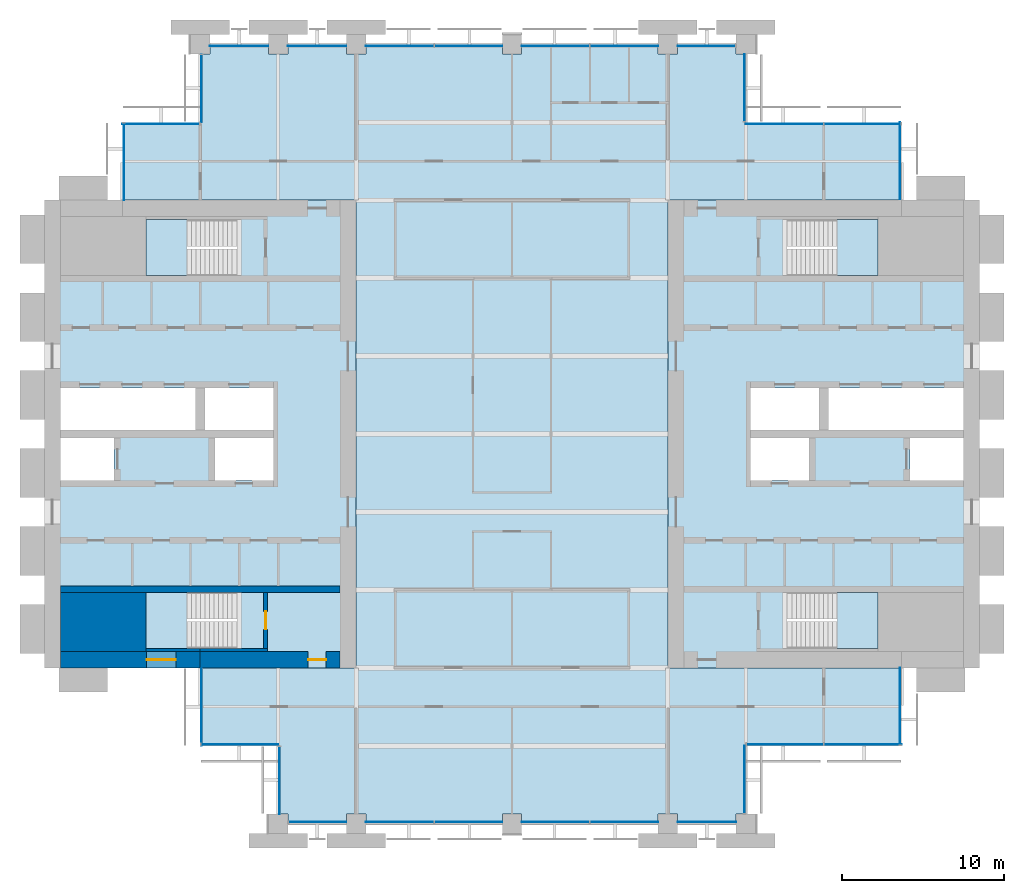
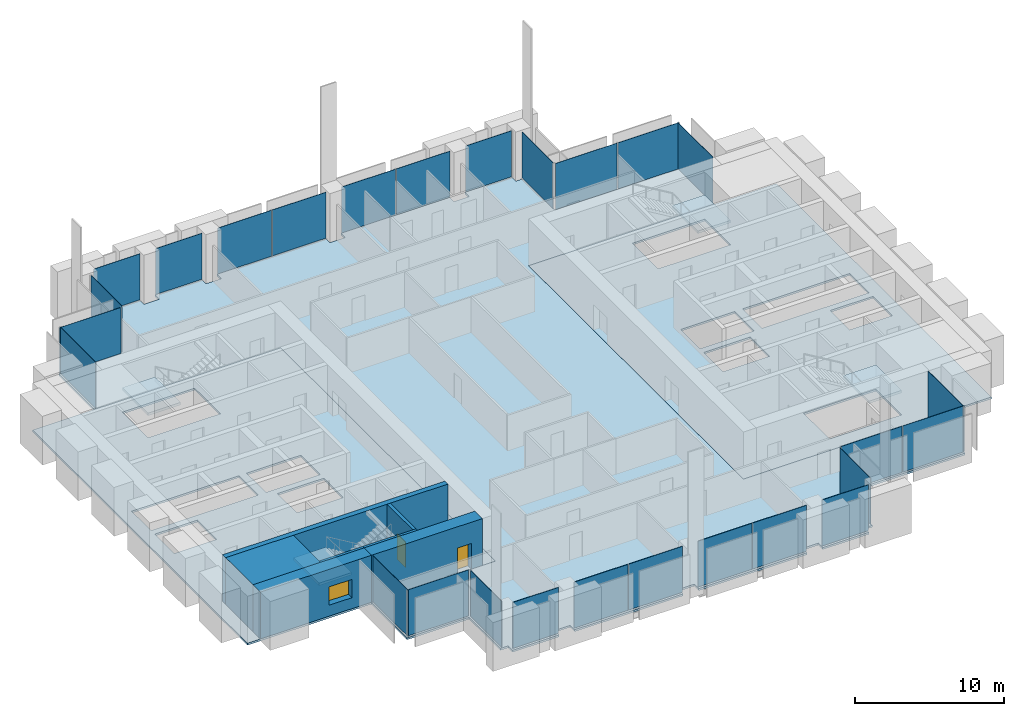
# One storey, part 8 of 14: 27 plates, 7 slabs, 7 walls, 2 doors, 1 window, 3 openings, 18 elements without a shape of their own.
"""IFC4 building model written with IfcOpenShell, lengths in metres."""

from ifc_helpers import new_model, si_unit, direction, frame, frame_2d, origin, origin_2d, place, context, subcontext, project, spatial, polyline, rectangle, outline, extrude, material, layer, layer_set, type_object, element, fill, aggregate, save


model = new_model("IFC4")

# Units and contexts
model_context = context("Model", 3, precision=1e-05, world=origin(), true_north=direction((0.0, 1.0)))
body_context = subcontext(model_context, "Body", "Model", "MODEL_VIEW")
ifc_project = project(units=[si_unit("LENGTHUNIT", "METRE"), si_unit("AREAUNIT", "SQUARE_METRE"), si_unit("VOLUMEUNIT", "CUBIC_METRE"), si_unit("PLANEANGLEUNIT", "RADIAN"), si_unit("MASSUNIT", "GRAM", prefix="KILO")], contexts=[model_context])

# Site, building, storey
site_placement = place(None, origin())
site = spatial("IfcSite", under=ifc_project, at=site_placement, CompositionType="ELEMENT")
building_placement = place(site_placement, origin())
building = spatial("IfcBuilding", under=site, at=building_placement, Name="Baori Bourse Tower", CompositionType="ELEMENT")
storey_placement = place(building_placement, frame((0.0, 0.0, 108.10009765625)))
storey = spatial("IfcBuildingStorey", under=building, at=storey_placement, Name="L22", CompositionType="ELEMENT", Elevation=108.10009765625)

# Curtain wall, plates
ifc_material_1 = material(Name="Pale anodised aluminium", Category="aluminium")
curtain_wall_type_1 = type_object("IfcCurtainWallType", Name="CW1 Curtain wall", PredefinedType="NOTDEFINED", material=ifc_material_1)
curtain_wall_1_placement = place(storey_placement, origin())
curtain_wall_1 = element("IfcCurtainWall", 1, at=curtain_wall_1_placement, inside=storey, type_object=curtain_wall_type_1, Name="Curtain wall CW1 L22 4", PredefinedType="NOTDEFINED")
ifc_material_2 = material(Name="Clear glass", Category="glass")
ifc_layer_1 = layer(ifc_material_2, 0.033935546875)
ifc_layer_set_1 = layer_set([ifc_layer_1], Name="CW1 Curtain wall panel")
plate_type_1 = type_object("IfcPlateType", Name="CW1 Curtain wall panel", PredefinedType="CURTAIN_PANEL", material=ifc_layer_set_1)
plate_1_placement = place(storey_placement, frame((40.77001953125, 47.89990234375, 0.080078125), z_axis=(0.0, 0.0, 1.0), x_axis=(-1.0, 0.0, 0.0)))
plate_1 = element("IfcPlate", 2, at=plate_1_placement, type_object=plate_type_1, Name="Curtain wall CW1 panel", PredefinedType="CURTAIN_PANEL", context=body_context, shape_type="SweptSolid", body=[
    extrude(rectangle(XDim=3.5400390625, YDim=0.033935546875, at=origin_2d()), origin(), (0.0, 0.0, 1.0), 3.760009765625),
])
plate_2_placement = place(storey_placement, frame((35.715087890625, 47.89990234375, 0.080078125), z_axis=(0.0, 0.0, 1.0), x_axis=(-1.0, 0.0, 0.0)))
plate_2 = element("IfcPlate", 3, at=plate_2_placement, type_object=plate_type_1, Name="Curtain wall CW1 panel", PredefinedType="CURTAIN_PANEL", context=body_context, shape_type="SweptSolid", body=[
    extrude(rectangle(XDim=4.169921875, YDim=0.033935546875, at=origin_2d()), origin(), (0.0, 0.0, 1.0), 3.760009765625),
])
plate_3_placement = place(storey_placement, frame((31.485107421875, 47.89990234375, 0.080078125), z_axis=(0.0, 0.0, 1.0), x_axis=(-1.0, 0.0, 0.0)))
plate_3 = element("IfcPlate", 4, at=plate_3_placement, type_object=plate_type_1, Name="Curtain wall CW1 panel", PredefinedType="CURTAIN_PANEL", context=body_context, shape_type="SweptSolid", body=[
    extrude(rectangle(XDim=4.169921875, YDim=0.033935546875, at=origin_2d()), origin(), (0.0, 0.0, 1.0), 3.760009765625),
])
plate_4_placement = place(storey_placement, frame((26.114990234375, 47.89990234375, 0.080078125), z_axis=(0.0, 0.0, 1.0), x_axis=(-1.0, 0.0, 0.0)))
plate_4 = element("IfcPlate", 5, at=plate_4_placement, type_object=plate_type_1, Name="Curtain wall CW1 panel", PredefinedType="CURTAIN_PANEL", context=body_context, shape_type="SweptSolid", body=[
    extrude(rectangle(XDim=4.169921875, YDim=0.033935546875, at=origin_2d()), origin(), (0.0, 0.0, 1.0), 3.760009765625),
])
plate_5_placement = place(storey_placement, frame((21.885009765625, 47.89990234375, 0.080078125), z_axis=(0.0, 0.0, 1.0), x_axis=(-1.0, 0.0, 0.0)))
plate_5 = element("IfcPlate", 6, at=plate_5_placement, type_object=plate_type_1, Name="Curtain wall CW1 panel", PredefinedType="CURTAIN_PANEL", context=body_context, shape_type="SweptSolid", body=[
    extrude(rectangle(XDim=4.169921875, YDim=0.033935546875, at=origin_2d()), origin(), (0.0, 0.0, 1.0), 3.760009765625),
])
plate_6_placement = place(storey_placement, frame((16.800048828125, 47.89990234375, 0.080078125), z_axis=(0.0, 0.0, 1.0), x_axis=(-1.0, 0.0, 0.0)))
plate_6 = element("IfcPlate", 7, at=plate_6_placement, type_object=plate_type_1, Name="Curtain wall CW1 panel", PredefinedType="CURTAIN_PANEL", context=body_context, shape_type="SweptSolid", body=[
    extrude(rectangle(XDim=3.60009765625, YDim=0.033935546875, at=origin_2d()), origin(), (0.0, 0.0, 1.0), 3.760009765625),
])
plate_7_placement = place(storey_placement, frame((12.0, 47.89990234375, 0.080078125), z_axis=(0.0, 0.0, 1.0), x_axis=(-1.0, 0.0, 0.0)))
plate_7 = element("IfcPlate", 8, at=plate_7_placement, type_object=plate_type_1, Name="Curtain wall CW1 panel", PredefinedType="CURTAIN_PANEL", context=body_context, shape_type="SweptSolid", body=[
    extrude(rectangle(XDim=3.60009765625, YDim=0.033935546875, at=origin_2d()), origin(), (0.0, 0.0, 1.0), 3.760009765625),
])
aggregate(curtain_wall_1, [plate_1, plate_2, plate_3, plate_4, plate_5, plate_6, plate_7])

curtain_wall_2_placement = place(storey_placement, origin())
curtain_wall_2 = element("IfcCurtainWall", 9, at=curtain_wall_2_placement, inside=storey, type_object=curtain_wall_type_1, Name="Curtain wall CW1 L22 11", PredefinedType="NOTDEFINED")
plate_8_placement = place(storey_placement, frame((16.830078125, 0.10009765625, 0.080078125), z_axis=(0.0, 0.0, 1.0), x_axis=(1.0, 0.0, 0.0)))
plate_8 = element("IfcPlate", 10, at=plate_8_placement, type_object=plate_type_1, Name="Curtain wall CW1 panel", PredefinedType="CURTAIN_PANEL", context=body_context, shape_type="SweptSolid", body=[
    extrude(rectangle(XDim=3.5400390625, YDim=0.033935546875, at=origin_2d()), origin(), (0.0, 0.0, 1.0), 3.760009765625),
])
plate_9_placement = place(storey_placement, frame((21.885009765625, 0.10009765625, 0.080078125), z_axis=(0.0, 0.0, 1.0), x_axis=(1.0, 0.0, 0.0)))
plate_9 = element("IfcPlate", 11, at=plate_9_placement, type_object=plate_type_1, Name="Curtain wall CW1 panel", PredefinedType="CURTAIN_PANEL", context=body_context, shape_type="SweptSolid", body=[
    extrude(rectangle(XDim=4.169921875, YDim=0.033935546875, at=origin_2d()), origin(), (0.0, 0.0, 1.0), 3.760009765625),
])
plate_10_placement = place(storey_placement, frame((26.114990234375, 0.10009765625, 0.080078125), z_axis=(0.0, 0.0, 1.0), x_axis=(1.0, 0.0, 0.0)))
plate_10 = element("IfcPlate", 12, at=plate_10_placement, type_object=plate_type_1, Name="Curtain wall CW1 panel", PredefinedType="CURTAIN_PANEL", context=body_context, shape_type="SweptSolid", body=[
    extrude(rectangle(XDim=4.169921875, YDim=0.033935546875, at=origin_2d()), origin(), (0.0, 0.0, 1.0), 3.760009765625),
])
plate_11_placement = place(storey_placement, frame((31.485107421875, 0.10009765625, 0.080078125), z_axis=(0.0, 0.0, 1.0), x_axis=(1.0, 0.0, 0.0)))
plate_11 = element("IfcPlate", 13, at=plate_11_placement, type_object=plate_type_1, Name="Curtain wall CW1 panel", PredefinedType="CURTAIN_PANEL", context=body_context, shape_type="SweptSolid", body=[
    extrude(rectangle(XDim=4.169921875, YDim=0.033935546875, at=origin_2d()), origin(), (0.0, 0.0, 1.0), 3.760009765625),
])
plate_12_placement = place(storey_placement, frame((35.715087890625, 0.10009765625, 0.080078125), z_axis=(0.0, 0.0, 1.0), x_axis=(1.0, 0.0, 0.0)))
plate_12 = element("IfcPlate", 14, at=plate_12_placement, type_object=plate_type_1, Name="Curtain wall CW1 panel", PredefinedType="CURTAIN_PANEL", context=body_context, shape_type="SweptSolid", body=[
    extrude(rectangle(XDim=4.169921875, YDim=0.033935546875, at=origin_2d()), origin(), (0.0, 0.0, 1.0), 3.760009765625),
])
plate_13_placement = place(storey_placement, frame((40.800048828125, 0.10009765625, 0.080078125), z_axis=(0.0, 0.0, 1.0), x_axis=(1.0, 0.0, 0.0)))
plate_13 = element("IfcPlate", 15, at=plate_13_placement, type_object=plate_type_1, Name="Curtain wall CW1 panel", PredefinedType="CURTAIN_PANEL", context=body_context, shape_type="SweptSolid", body=[
    extrude(rectangle(XDim=3.60009765625, YDim=0.033935546875, at=origin_2d()), origin(), (0.0, 0.0, 1.0), 3.760009765625),
])
aggregate(curtain_wall_2, [plate_8, plate_9, plate_10, plate_11, plate_12, plate_13])

# Curtain wall, plate
ifc_material_3 = material(Name="Pale anodised aluminium", Category="aluminium")
curtain_wall_type_2 = type_object("IfcCurtainWallType", Name="CW2 Curtain wall", PredefinedType="NOTDEFINED", material=ifc_material_3)
curtain_wall_3_placement = place(storey_placement, origin())
curtain_wall_3 = element("IfcCurtainWall", 16, at=curtain_wall_3_placement, inside=storey, type_object=curtain_wall_type_2, Name="Curtain wall CW2 L22 1", PredefinedType="NOTDEFINED")
ifc_material_4 = material(Name="Clear glass", Category="glass")
ifc_layer_2 = layer(ifc_material_4, 0.030029296875)
ifc_layer_set_2 = layer_set([ifc_layer_2], Name="CW2 Curtain wall panel")
plate_type_2 = type_object("IfcPlateType", Name="CW2 Curtain wall panel", PredefinedType="CURTAIN_PANEL", material=ifc_layer_set_2)
plate_14_placement = place(storey_placement, frame((52.7099609375, 40.827392578125, 0.06982421875), z_axis=(0.0, 0.0, 1.0), x_axis=(0.0, 1.0, 0.0)))
plate_14 = element("IfcPlate", 17, at=plate_14_placement, type_object=plate_type_2, Name="Curtain wall CW2 panel", PredefinedType="CURTAIN_PANEL", context=body_context, shape_type="SweptSolid", body=[
    extrude(rectangle(XDim=4.7451171875, YDim=0.030029296875, at=origin_2d()), origin(), (0.0, 0.0, 1.0), 3.77001953125),
])
aggregate(curtain_wall_3, [plate_14])

# Curtain wall, plates
curtain_wall_4_placement = place(storey_placement, origin())
curtain_wall_4 = element("IfcCurtainWall", 18, at=curtain_wall_4_placement, inside=storey, type_object=curtain_wall_type_2, Name="Curtain wall CW2 L22 2", PredefinedType="NOTDEFINED")
plate_15_placement = place(storey_placement, frame((50.38623046875, 43.110107421875, 0.06982421875), z_axis=(0.0, 0.0, 1.0), x_axis=(-1.0, 0.0, 0.0)))
plate_15 = element("IfcPlate", 19, at=plate_15_placement, type_object=plate_type_2, Name="Curtain wall CW2 panel", PredefinedType="CURTAIN_PANEL", context=body_context, shape_type="SweptSolid", body=[
    extrude(rectangle(XDim=4.717529296875, YDim=0.030029296875, at=origin_2d()), origin(), (0.0, 0.0, 1.0), 3.77001953125),
])
plate_16_placement = place(storey_placement, frame((45.586181640625, 43.110107421875, 0.06982421875), z_axis=(0.0, 0.0, 1.0), x_axis=(-1.0, 0.0, 0.0)))
plate_16 = element("IfcPlate", 20, at=plate_16_placement, type_object=plate_type_2, Name="Curtain wall CW2 panel", PredefinedType="CURTAIN_PANEL", context=body_context, shape_type="SweptSolid", body=[
    extrude(rectangle(XDim=4.7724609375, YDim=0.030029296875, at=origin_2d()), origin(), (0.0, 0.0, 1.0), 3.77001953125),
])
aggregate(curtain_wall_4, [plate_15, plate_16])

# Curtain wall, plate
curtain_wall_5_placement = place(storey_placement, origin())
curtain_wall_5 = element("IfcCurtainWall", 21, at=curtain_wall_5_placement, inside=storey, type_object=curtain_wall_type_2, Name="Curtain wall CW2 L22 3", PredefinedType="NOTDEFINED")
plate_17_placement = place(storey_placement, frame((43.110107421875, 45.327392578125, 0.06982421875), z_axis=(0.0, 0.0, 1.0), x_axis=(0.0, 1.0, 0.0)))
plate_17 = element("IfcPlate", 22, at=plate_17_placement, type_object=plate_type_2, Name="Curtain wall CW2 panel", PredefinedType="CURTAIN_PANEL", context=body_context, shape_type="SweptSolid", body=[
    extrude(rectangle(XDim=4.14501953125, YDim=0.030029296875, at=origin_2d()), origin(), (0.0, 0.0, 1.0), 3.77001953125),
])
aggregate(curtain_wall_5, [plate_17])

curtain_wall_6_placement = place(storey_placement, origin())
curtain_wall_6 = element("IfcCurtainWall", 23, at=curtain_wall_6_placement, inside=storey, type_object=curtain_wall_type_2, Name="Curtain wall CW2 L22 5", PredefinedType="NOTDEFINED")
plate_18_placement = place(storey_placement, frame((9.68994140625, 45.2724609375, 0.06982421875), z_axis=(0.0, 0.0, 1.0), x_axis=(0.0, -1.0, 0.0)))
plate_18 = element("IfcPlate", 24, at=plate_18_placement, type_object=plate_type_2, Name="Curtain wall CW2 panel", PredefinedType="CURTAIN_PANEL", context=body_context, shape_type="SweptSolid", body=[
    extrude(rectangle(XDim=4.14501953125, YDim=0.030029296875, at=origin_2d()), origin(), (0.0, 0.0, 1.0), 3.77001953125),
])
aggregate(curtain_wall_6, [plate_18])

curtain_wall_7_placement = place(storey_placement, origin())
curtain_wall_7 = element("IfcCurtainWall", 25, at=curtain_wall_7_placement, inside=storey, type_object=curtain_wall_type_2, Name="Curtain wall CW2 L22 6", PredefinedType="NOTDEFINED")
plate_19_placement = place(storey_placement, frame((7.172607421875, 43.110107421875, 0.06982421875), z_axis=(0.0, 0.0, 1.0), x_axis=(-1.0, 0.0, 0.0)))
plate_19 = element("IfcPlate", 26, at=plate_19_placement, type_object=plate_type_2, Name="Curtain wall CW2 panel", PredefinedType="CURTAIN_PANEL", context=body_context, shape_type="SweptSolid", body=[
    extrude(rectangle(XDim=4.7451171875, YDim=0.030029296875, at=origin_2d()), origin(), (0.0, 0.0, 1.0), 3.77001953125),
])
aggregate(curtain_wall_7, [plate_19])

curtain_wall_8_placement = place(storey_placement, origin())
curtain_wall_8 = element("IfcCurtainWall", 27, at=curtain_wall_8_placement, inside=storey, type_object=curtain_wall_type_2, Name="Curtain wall CW2 L22 7", PredefinedType="NOTDEFINED")
plate_20_placement = place(storey_placement, frame((4.889892578125, 40.7724609375, 0.06982421875), z_axis=(0.0, 0.0, 1.0), x_axis=(0.0, -1.0, 0.0)))
plate_20 = element("IfcPlate", 28, at=plate_20_placement, type_object=plate_type_2, Name="Curtain wall CW2 panel", PredefinedType="CURTAIN_PANEL", context=body_context, shape_type="SweptSolid", body=[
    extrude(rectangle(XDim=4.7451171875, YDim=0.030029296875, at=origin_2d()), origin(), (0.0, 0.0, 1.0), 3.77001953125),
])
aggregate(curtain_wall_8, [plate_20])

curtain_wall_9_placement = place(storey_placement, origin())
curtain_wall_9 = element("IfcCurtainWall", 29, at=curtain_wall_9_placement, inside=storey, type_object=curtain_wall_type_2, Name="Curtain wall CW2 L22 8", PredefinedType="NOTDEFINED")
plate_21_placement = place(storey_placement, frame((9.68994140625, 7.172607421875, 0.06982421875), z_axis=(0.0, 0.0, 1.0), x_axis=(0.0, -1.0, 0.0)))
plate_21 = element("IfcPlate", 30, at=plate_21_placement, type_object=plate_type_2, Name="Curtain wall CW2 panel", PredefinedType="CURTAIN_PANEL", context=body_context, shape_type="SweptSolid", body=[
    extrude(rectangle(XDim=4.7451171875, YDim=0.030029296875, at=origin_2d()), origin(), (0.0, 0.0, 1.0), 3.77001953125),
])
aggregate(curtain_wall_9, [plate_21])

curtain_wall_10_placement = place(storey_placement, origin())
curtain_wall_10 = element("IfcCurtainWall", 31, at=curtain_wall_10_placement, inside=storey, type_object=curtain_wall_type_2, Name="Curtain wall CW2 L22 9", PredefinedType="NOTDEFINED")
plate_22_placement = place(storey_placement, frame((12.027587890625, 4.889892578125, 0.06982421875), z_axis=(0.0, 0.0, 1.0), x_axis=(1.0, 0.0, 0.0)))
plate_22 = element("IfcPlate", 32, at=plate_22_placement, type_object=plate_type_2, Name="Curtain wall CW2 panel", PredefinedType="CURTAIN_PANEL", context=body_context, shape_type="SweptSolid", body=[
    extrude(rectangle(XDim=4.7451171875, YDim=0.030029296875, at=origin_2d()), origin(), (0.0, 0.0, 1.0), 3.77001953125),
])
aggregate(curtain_wall_10, [plate_22])

curtain_wall_11_placement = place(storey_placement, origin())
curtain_wall_11 = element("IfcCurtainWall", 33, at=curtain_wall_11_placement, inside=storey, type_object=curtain_wall_type_2, Name="Curtain wall CW2 L22 10", PredefinedType="NOTDEFINED")
plate_23_placement = place(storey_placement, frame((14.489990234375, 2.672607421875, 0.06982421875), z_axis=(0.0, 0.0, 1.0), x_axis=(0.0, -1.0, 0.0)))
plate_23 = element("IfcPlate", 34, at=plate_23_placement, type_object=plate_type_2, Name="Curtain wall CW2 panel", PredefinedType="CURTAIN_PANEL", context=body_context, shape_type="SweptSolid", body=[
    extrude(rectangle(XDim=4.14501953125, YDim=0.030029296875, at=origin_2d()), origin(), (0.0, 0.0, 1.0), 3.77001953125),
])
aggregate(curtain_wall_11, [plate_23])

curtain_wall_12_placement = place(storey_placement, origin())
curtain_wall_12 = element("IfcCurtainWall", 35, at=curtain_wall_12_placement, inside=storey, type_object=curtain_wall_type_2, Name="Curtain wall CW2 L22 12", PredefinedType="NOTDEFINED")
plate_24_placement = place(storey_placement, frame((43.110107421875, 2.7275390625, 0.06982421875), z_axis=(0.0, 0.0, 1.0), x_axis=(0.0, 1.0, 0.0)))
plate_24 = element("IfcPlate", 36, at=plate_24_placement, type_object=plate_type_2, Name="Curtain wall CW2 panel", PredefinedType="CURTAIN_PANEL", context=body_context, shape_type="SweptSolid", body=[
    extrude(rectangle(XDim=4.14501953125, YDim=0.030029296875, at=origin_2d()), origin(), (0.0, 0.0, 1.0), 3.77001953125),
])
aggregate(curtain_wall_12, [plate_24])

# Curtain wall, plates
curtain_wall_13_placement = place(storey_placement, origin())
curtain_wall_13 = element("IfcCurtainWall", 37, at=curtain_wall_13_placement, inside=storey, type_object=curtain_wall_type_2, Name="Curtain wall CW2 L22 13", PredefinedType="NOTDEFINED")
plate_25_placement = place(storey_placement, frame((45.61376953125, 4.889892578125, 0.06982421875), z_axis=(0.0, 0.0, 1.0), x_axis=(1.0, 0.0, 0.0)))
plate_25 = element("IfcPlate", 38, at=plate_25_placement, type_object=plate_type_2, Name="Curtain wall CW2 panel", PredefinedType="CURTAIN_PANEL", context=body_context, shape_type="SweptSolid", body=[
    extrude(rectangle(XDim=4.717529296875, YDim=0.030029296875, at=origin_2d()), origin(), (0.0, 0.0, 1.0), 3.77001953125),
])
plate_26_placement = place(storey_placement, frame((50.413818359375, 4.889892578125, 0.06982421875), z_axis=(0.0, 0.0, 1.0), x_axis=(1.0, 0.0, 0.0)))
plate_26 = element("IfcPlate", 39, at=plate_26_placement, type_object=plate_type_2, Name="Curtain wall CW2 panel", PredefinedType="CURTAIN_PANEL", context=body_context, shape_type="SweptSolid", body=[
    extrude(rectangle(XDim=4.7724609375, YDim=0.030029296875, at=origin_2d()), origin(), (0.0, 0.0, 1.0), 3.77001953125),
])
aggregate(curtain_wall_13, [plate_25, plate_26])

# Curtain wall, plate
curtain_wall_14_placement = place(storey_placement, origin())
curtain_wall_14 = element("IfcCurtainWall", 40, at=curtain_wall_14_placement, inside=storey, type_object=curtain_wall_type_2, Name="Curtain wall CW2 L22 14", PredefinedType="NOTDEFINED")
plate_27_placement = place(storey_placement, frame((52.7099609375, 7.2275390625, 0.06982421875), z_axis=(0.0, 0.0, 1.0), x_axis=(0.0, 1.0, 0.0)))
plate_27 = element("IfcPlate", 41, at=plate_27_placement, type_object=plate_type_2, Name="Curtain wall CW2 panel", PredefinedType="CURTAIN_PANEL", context=body_context, shape_type="SweptSolid", body=[
    extrude(rectangle(XDim=4.7451171875, YDim=0.030029296875, at=origin_2d()), origin(), (0.0, 0.0, 1.0), 3.77001953125),
])
aggregate(curtain_wall_14, [plate_27])

# Slabs
ifc_material_5 = material(Name="Concrete f'c 50 MPa", Category="concrete")
ifc_layer_3 = layer(ifc_material_5, 0.159912109375)
ifc_layer_set_3 = layer_set([ifc_layer_3], Name="Core slab 160")
slab_type_1 = type_object("IfcSlabType", Name="Core slab 160", PredefinedType="FLOOR", material=ifc_layer_set_3)
slab_1_placement = place(storey_placement, frame((0.0, 0.0, -0.16015625)))
element("IfcSlab", 42, at=slab_1_placement, inside=storey, type_object=slab_type_1, Name="Core floor slab W01", PredefinedType="FLOOR", context=body_context, shape_type="SweptSolid", body=[
    extrude(outline(polyline([(0.0, 38.39990234375), (0.0, 9.60009765625), (19.199951171875, 9.60009765625), (19.199951171875, 38.39990234375), (0.0, 38.39990234375)]), holes=[polyline([(10.5, 21.14990234375), (10.5, 23.75), (14.10009765625, 23.75), (14.10009765625, 21.14990234375), (10.5, 21.14990234375)]), polyline([(14.10009765625, 24.25), (9.89990234375, 24.25), (9.89990234375, 26.85009765625), (14.10009765625, 26.85009765625), (14.10009765625, 24.25)]), polyline([(6.25, 14.25), (11.84912109375, 14.25), (11.84912109375, 10.800048828125), (6.25, 10.800048828125), (6.25, 14.25)]), polyline([(11.84912109375, 37.199951171875), (11.84912109375, 33.75), (6.25, 33.75), (6.25, 37.199951171875), (11.84912109375, 37.199951171875)]), polyline([(1.0, 26.85009765625), (9.300048828125, 26.85009765625), (9.300048828125, 24.25), (1.0, 24.25), (1.0, 26.85009765625)]), polyline([(4.300048828125, 23.75), (4.300048828125, 21.14990234375), (1.0, 21.14990234375), (1.0, 23.75), (4.300048828125, 23.75)])]), origin(), (0.0, 0.0, 1.0), 0.16015625),
])
slab_2_placement = place(storey_placement, frame((0.0, 0.0, -0.16015625)))
element("IfcSlab", 43, at=slab_2_placement, inside=storey, type_object=slab_type_1, Name="Core floor slab E01", PredefinedType="FLOOR", context=body_context, shape_type="SweptSolid", body=[
    extrude(outline(polyline([(57.60009765625, 38.39990234375), (38.39990234375, 38.39990234375), (38.39990234375, 9.60009765625), (57.60009765625, 9.60009765625), (57.60009765625, 38.39990234375)]), holes=[polyline([(56.60009765625, 21.14990234375), (53.300048828125, 21.14990234375), (53.300048828125, 23.75), (56.60009765625, 23.75), (56.60009765625, 21.14990234375)]), polyline([(56.60009765625, 26.85009765625), (56.60009765625, 24.25), (48.300048828125, 24.25), (48.300048828125, 26.85009765625), (56.60009765625, 26.85009765625)]), polyline([(45.750732421875, 14.25), (51.35009765625, 14.25), (51.35009765625, 10.800048828125), (45.750732421875, 10.800048828125), (45.750732421875, 14.25)]), polyline([(51.35009765625, 37.199951171875), (51.35009765625, 33.75), (45.750732421875, 33.75), (45.750732421875, 37.199951171875), (51.35009765625, 37.199951171875)]), polyline([(43.5, 24.25), (43.5, 26.85009765625), (47.699951171875, 26.85009765625), (47.699951171875, 24.25), (43.5, 24.25)]), polyline([(43.5, 23.75), (47.10009765625, 23.75), (47.10009765625, 21.14990234375), (43.5, 21.14990234375), (43.5, 23.75)])]), origin(), (0.0, 0.0, 1.0), 0.16015625),
])

# Stair, slab
ifc_material_6 = material(Name="Concrete f'c 50 MPa", Category="concrete")
stair_type = type_object("IfcStairType", Name="Core stair", PredefinedType="HALF_TURN_STAIR", material=ifc_material_6)
stair_1_placement = place(storey_placement, origin())
stair_1 = element("IfcStair", 44, at=stair_1_placement, inside=storey, type_object=stair_type, Name="L22 Stair WA", PredefinedType="HALF_TURN_STAIR")
ifc_material_7 = material(Name="Concrete f'c 50 MPa", Category="concrete")
slab_type_2 = type_object("IfcSlabType", Name="Core stair landing", PredefinedType="LANDING", material=ifc_material_7)
slab_3_placement = place(storey_placement, frame((0.0, 0.0, 1.7998046875)))
slab_3 = element("IfcSlab", 45, at=slab_3_placement, type_object=slab_type_2, Name="ST1 landing 1", PredefinedType="LANDING", context=body_context, shape_type="SweptSolid", body=[
    extrude(outline(polyline([(8.77001953125, 14.25), (6.25, 14.25), (6.25, 10.800048828125), (8.77001953125, 10.800048828125), (8.77001953125, 14.25)])), origin(), (0.0, 0.0, 1.0), 0.2001953125),
])
aggregate(stair_1, [slab_3])

stair_2_placement = place(storey_placement, origin())
stair_2 = element("IfcStair", 46, at=stair_2_placement, inside=storey, type_object=stair_type, Name="L22 Stair WB", PredefinedType="HALF_TURN_STAIR")
slab_4_placement = place(storey_placement, frame((0.0, 0.0, 1.7998046875)))
slab_4 = element("IfcSlab", 47, at=slab_4_placement, type_object=slab_type_2, Name="ST2 landing 1", PredefinedType="LANDING", context=body_context, shape_type="SweptSolid", body=[
    extrude(outline(polyline([(8.77001953125, 37.199951171875), (6.25, 37.199951171875), (6.25, 33.75), (8.77001953125, 33.75), (8.77001953125, 37.199951171875)])), origin(), (0.0, 0.0, 1.0), 0.2001953125),
])
aggregate(stair_2, [slab_4])

stair_3_placement = place(storey_placement, origin())
stair_3 = element("IfcStair", 48, at=stair_3_placement, inside=storey, type_object=stair_type, Name="L22 Stair EA", PredefinedType="HALF_TURN_STAIR")
slab_5_placement = place(storey_placement, frame((0.0, 0.0, 1.7998046875)))
slab_5 = element("IfcSlab", 49, at=slab_5_placement, type_object=slab_type_2, Name="ST3 landing 1", PredefinedType="LANDING", context=body_context, shape_type="SweptSolid", body=[
    extrude(outline(polyline([(48.830078125, 10.800048828125), (51.35009765625, 10.800048828125), (51.35009765625, 14.25), (48.830078125, 14.25), (48.830078125, 10.800048828125)])), origin(), (0.0, 0.0, 1.0), 0.2001953125),
])
aggregate(stair_3, [slab_5])

stair_4_placement = place(storey_placement, origin())
stair_4 = element("IfcStair", 50, at=stair_4_placement, inside=storey, type_object=stair_type, Name="L22 Stair EB", PredefinedType="HALF_TURN_STAIR")
slab_6_placement = place(storey_placement, frame((0.0, 0.0, 1.7998046875)))
slab_6 = element("IfcSlab", 51, at=slab_6_placement, type_object=slab_type_2, Name="ST4 landing 1", PredefinedType="LANDING", context=body_context, shape_type="SweptSolid", body=[
    extrude(outline(polyline([(48.830078125, 33.75), (51.35009765625, 33.75), (51.35009765625, 37.199951171875), (48.830078125, 37.199951171875), (48.830078125, 33.75)])), origin(), (0.0, 0.0, 1.0), 0.2001953125),
])
aggregate(stair_4, [slab_6])

# Slab
ifc_material_8 = material(Name="Concrete f'c 40 MPa", Category="concrete")
ifc_layer_4 = layer(ifc_material_8, 0.159912109375)
ifc_layer_set_4 = layer_set([ifc_layer_4], Name="Floor slab 160")
slab_type_3 = type_object("IfcSlabType", Name="Floor slab 160", PredefinedType="FLOOR", material=ifc_layer_set_4)
slab_7_placement = place(storey_placement, frame((0.0, 0.0, -0.16015625)))
element("IfcSlab", 52, at=slab_7_placement, inside=storey, type_object=slab_type_3, Name="Floor slab L22", PredefinedType="FLOOR", context=body_context, shape_type="SweptSolid", body=[
    extrude(outline(polyline([(14.39990234375, 4.800048828125), (9.60009765625, 4.800048828125), (9.60009765625, 9.60009765625), (19.199951171875, 9.60009765625), (19.199951171875, 38.39990234375), (4.800048828125, 38.39990234375), (4.800048828125, 43.199951171875), (9.60009765625, 43.199951171875), (9.60009765625, 47.39990234375), (10.199951171875, 47.39990234375), (10.199951171875, 48.0), (13.800048828125, 48.0), (13.800048828125, 47.39990234375), (15.0, 47.39990234375), (15.0, 48.0), (18.60009765625, 48.0), (18.60009765625, 47.39990234375), (19.800048828125, 47.39990234375), (19.800048828125, 48.0), (28.199951171875, 48.0), (28.199951171875, 47.39990234375), (29.39990234375, 47.39990234375), (29.39990234375, 48.0), (37.800048828125, 48.0), (37.800048828125, 47.39990234375), (39.0, 47.39990234375), (39.0, 48.0), (42.60009765625, 48.0), (42.60009765625, 47.39990234375), (43.199951171875, 47.39990234375), (43.199951171875, 43.199951171875), (52.800048828125, 43.199951171875), (52.800048828125, 38.39990234375), (38.39990234375, 38.39990234375), (38.39990234375, 9.60009765625), (52.800048828125, 9.60009765625), (52.800048828125, 4.800048828125), (43.199951171875, 4.800048828125), (43.199951171875, 0.60009765625), (42.60009765625, 0.60009765625), (42.60009765625, 0.0), (39.0, 0.0), (39.0, 0.60009765625), (37.800048828125, 0.60009765625), (37.800048828125, 0.0), (29.39990234375, 0.0), (29.39990234375, 0.60009765625), (28.199951171875, 0.60009765625), (28.199951171875, 0.0), (19.800048828125, 0.0), (19.800048828125, 0.60009765625), (18.60009765625, 0.60009765625), (18.60009765625, 0.0), (15.0, 0.0), (15.0, 0.60009765625), (14.39990234375, 0.60009765625), (14.39990234375, 4.800048828125)])), origin(), (0.0, 0.0, 1.0), 0.16015625),
])

# Wall
ifc_material_9 = material(Name="Concrete f'c 60 MPa", Category="concrete")
wall_type_1 = type_object("IfcWallType", Name="Core corner block f'c 60", PredefinedType="SHEAR", material=ifc_material_9)
wall_1_placement = place(storey_placement, frame((1.0, 12.425048828125, 0.0), z_axis=(0.0, 0.0, 1.0), x_axis=(1.0, 0.0, 0.0)))
element("IfcWall", 53, at=wall_1_placement, inside=storey, type_object=wall_type_1, Name="Core wall W05", PredefinedType="SHEAR", context=body_context, shape_type="SweptSolid", body=[
    extrude(rectangle(XDim=5.25, YDim=3.64990234375, at=frame_2d((2.625, 0.0))), origin(), (0.0, 0.0, 1.0), 3.83984375),
])

# Wall, opening, window
ifc_material_10 = material(Name="Concrete f'c 60 MPa", Category="concrete")
ifc_layer_5 = layer(ifc_material_10, 1.0)
ifc_layer_set_5 = layer_set([ifc_layer_5], Name="Core wall 1000 f'c 60")
wall_type_2 = type_object("IfcWallType", Name="Core wall 1000 f'c 60", PredefinedType="SHEAR", material=ifc_layer_set_5)
wall_2_placement = place(storey_placement, frame((9.60009765625, 10.10009765625, 0.0), z_axis=(0.0, 0.0, 1.0), x_axis=(-1.0, 0.0, 0.0)))
wall_2 = element("IfcWall", 54, at=wall_2_placement, inside=storey, type_object=wall_type_2, Name="Core wall W02", PredefinedType="SHEAR", context=body_context, shape_type="SweptSolid", body=[
    extrude(rectangle(XDim=8.60009765625, YDim=1.0, at=frame_2d((4.300048828125, 0.0))), origin(), (0.0, 0.0, 1.0), 3.83984375),
])
opening_1_placement = place(wall_2_placement, frame((1.5, 0.0, 0.89990234375)))
opening_1 = element("IfcOpeningElement", 55, at=opening_1_placement, cuts=wall_2, Name="Opening L22-KW103", PredefinedType="OPENING", context=body_context, shape_type="SweptSolid", body=[
    extrude(rectangle(XDim=1.800048828125, YDim=1.5, at=frame_2d((0.89990234375, 0.75))), frame((0.0, 0.510009765625, 0.0), z_axis=(0.0, -1.0, 0.0), x_axis=(1.0, 0.0, 0.0)), (0.0, 0.0, 1.0), 1.02001953125),
])
ifc_material_11 = material(Name="Pale anodised aluminium", Category="aluminium")
window_type = type_object("IfcWindowType", Name="Stair window 1800 x 1500", PartitioningType="SINGLE_PANEL", PredefinedType="WINDOW", material=ifc_material_11)
window_placement = place(opening_1_placement, origin())
window = element("IfcWindow", 56, at=window_placement, inside=storey, type_object=window_type, Name="Stair window W L22 3", OverallHeight=1.5, OverallWidth=1.800048828125, PartitioningType="SINGLE_PANEL", PredefinedType="WINDOW", context=body_context, shape_type="SweptSolid", body=[
    extrude(rectangle(XDim=1.800048828125, YDim=1.5, at=frame_2d((0.89990234375, 0.75))), frame((0.0, 0.030029296875, 0.0), z_axis=(0.0, -1.0, 0.0), x_axis=(1.0, 0.0, 0.0)), (0.0, 0.0, 1.0), 0.06005859375),
])
fill(opening_1, window)

# Wall, opening, door
wall_3_placement = place(storey_placement, frame((18.199951171875, 10.10009765625, 0.0), z_axis=(0.0, 0.0, 1.0), x_axis=(-1.0, 0.0, 0.0)))
wall_3 = element("IfcWall", 57, at=wall_3_placement, inside=storey, type_object=wall_type_2, Name="Core wall W03", PredefinedType="SHEAR", context=body_context, shape_type="SweptSolid", body=[
    extrude(rectangle(XDim=8.599853515625, YDim=1.0, at=frame_2d((4.2998046875, 0.0))), origin(), (0.0, 0.0, 1.0), 3.83984375),
])
opening_2_placement = place(wall_3_placement, frame((0.85009765625, 0.0, 0.0)))
opening_2 = element("IfcOpeningElement", 58, at=opening_2_placement, cuts=wall_3, Name="Opening L22-D102", PredefinedType="OPENING", context=body_context, shape_type="SweptSolid", body=[
    extrude(rectangle(XDim=1.10009765625, YDim=2.10009765625, at=frame_2d((0.550048828125, 1.050048828125))), frame((0.0, 0.510009765625, 0.0), z_axis=(0.0, -1.0, 0.0), x_axis=(1.0, 0.0, 0.0)), (0.0, 0.0, 1.0), 1.02001953125),
])
ifc_material_12 = material(Name="Painted steel door", Category="steel")
door_type = type_object("IfcDoorType", Name="Stair door 1100", OperationType="SINGLE_SWING_LEFT", PredefinedType="DOOR", material=ifc_material_12)
door_1_placement = place(opening_2_placement, origin())
door_1 = element("IfcDoor", 59, at=door_1_placement, inside=storey, type_object=door_type, Name="Stair vestibule door A W L22", OperationType="SINGLE_SWING_LEFT", OverallHeight=2.10009765625, OverallWidth=1.10009765625, PredefinedType="DOOR", context=body_context, shape_type="SweptSolid", body=[
    extrude(rectangle(XDim=1.10009765625, YDim=2.10009765625, at=frame_2d((0.550048828125, 1.050048828125))), frame((0.0, 0.02490234375, 0.0), z_axis=(0.0, -1.0, 0.0), x_axis=(1.0, 0.0, 0.0)), (0.0, 0.0, 1.0), 0.050048828125),
])
fill(opening_2, door_1)

# Walls
ifc_material_13 = material(Name="Concrete f'c 60 MPa", Category="concrete")
ifc_layer_6 = layer(ifc_material_13, 0.199951171875)
ifc_layer_set_6 = layer_set([ifc_layer_6], Name="Shaft wall 200 f'c 60")
wall_type_3 = type_object("IfcWallType", Name="Shaft wall 200 f'c 60", PredefinedType="SHEAR", material=ifc_layer_set_6)
wall_4_placement = place(storey_placement, frame((6.25, 10.699951171875, 0.0), z_axis=(0.0, 0.0, 1.0), x_axis=(1.0, 0.0, 0.0)))
element("IfcWall", 60, at=wall_4_placement, inside=storey, type_object=wall_type_3, Name="Core wall W06", PredefinedType="SHEAR", context=body_context, shape_type="SweptSolid", body=[
    extrude(rectangle(XDim=3.35009765625, YDim=0.199951171875, at=frame_2d((1.675048828125, 0.0))), origin(), (0.0, 0.0, 1.0), 3.83984375),
])
wall_5_placement = place(storey_placement, frame((9.60009765625, 10.699951171875, 0.0), z_axis=(0.0, 0.0, 1.0), x_axis=(1.0, 0.0, 0.0)))
element("IfcWall", 61, at=wall_5_placement, inside=storey, type_object=wall_type_3, Name="Core wall W07", PredefinedType="SHEAR", context=body_context, shape_type="SweptSolid", body=[
    extrude(rectangle(XDim=4.14990234375, YDim=0.199951171875, at=frame_2d((2.074951171875, 0.0))), origin(), (0.0, 0.0, 1.0), 3.83984375),
])

# Wall, opening, door
ifc_material_14 = material(Name="Concrete f'c 60 MPa", Category="concrete")
ifc_layer_7 = layer(ifc_material_14, 0.25)
ifc_layer_set_7 = layer_set([ifc_layer_7], Name="Shaft wall 250 f'c 60")
wall_type_4 = type_object("IfcWallType", Name="Shaft wall 250 f'c 60", PredefinedType="SHEAR", material=ifc_layer_set_7)
wall_6_placement = place(storey_placement, frame((13.625, 10.800048828125, 0.0), z_axis=(0.0, 0.0, 1.0), x_axis=(0.0, 1.0, 0.0)))
wall_6 = element("IfcWall", 62, at=wall_6_placement, inside=storey, type_object=wall_type_4, Name="Core wall W08", PredefinedType="SHEAR", context=body_context, shape_type="SweptSolid", body=[
    extrude(rectangle(XDim=3.449951171875, YDim=0.25, at=frame_2d((1.72509765625, 0.0))), origin(), (0.0, 0.0, 1.0), 3.83984375),
])
opening_3_placement = place(wall_6_placement, frame((1.175048828125, 0.0, 0.0)))
opening_3 = element("IfcOpeningElement", 63, at=opening_3_placement, cuts=wall_6, Name="Opening L22-D101", PredefinedType="OPENING", context=body_context, shape_type="SweptSolid", body=[
    extrude(rectangle(XDim=1.10009765625, YDim=2.10009765625, at=frame_2d((0.550048828125, 1.050048828125))), frame((0.0, 0.135009765625, 0.0), z_axis=(0.0, -1.0, 0.0), x_axis=(1.0, 0.0, 0.0)), (0.0, 0.0, 1.0), 0.27001953125),
])
door_2_placement = place(opening_3_placement, origin())
door_2 = element("IfcDoor", 64, at=door_2_placement, inside=storey, type_object=door_type, Name="Stair door A W L22", OperationType="SINGLE_SWING_LEFT", OverallHeight=2.10009765625, OverallWidth=1.10009765625, PredefinedType="DOOR", context=body_context, shape_type="SweptSolid", body=[
    extrude(rectangle(XDim=1.10009765625, YDim=2.10009765625, at=frame_2d((0.550048828125, 1.050048828125))), frame((0.0, 0.02490234375, 0.0), z_axis=(0.0, -1.0, 0.0), x_axis=(1.0, 0.0, 0.0)), (0.0, 0.0, 1.0), 0.050048828125),
])
fill(opening_3, door_2)

# Wall
ifc_material_15 = material(Name="Concrete f'c 60 MPa", Category="concrete")
ifc_layer_8 = layer(ifc_material_15, 0.39990234375)
ifc_layer_set_8 = layer_set([ifc_layer_8], Name="Shaft wall 400 f'c 60")
wall_type_5 = type_object("IfcWallType", Name="Shaft wall 400 f'c 60", PredefinedType="SHEAR", material=ifc_layer_set_8)
wall_7_placement = place(storey_placement, frame((1.0, 14.449951171875, 0.0), z_axis=(0.0, 0.0, 1.0), x_axis=(1.0, 0.0, 0.0)))
element("IfcWall", 65, at=wall_7_placement, inside=storey, type_object=wall_type_5, Name="Core wall W09", PredefinedType="SHEAR", context=body_context, shape_type="SweptSolid", body=[
    extrude(rectangle(XDim=17.199951171875, YDim=0.39990234375, at=frame_2d((8.60009765625, 0.0))), origin(), (0.0, 0.0, 1.0), 3.83984375),
])

save(model, "model.ifc")
